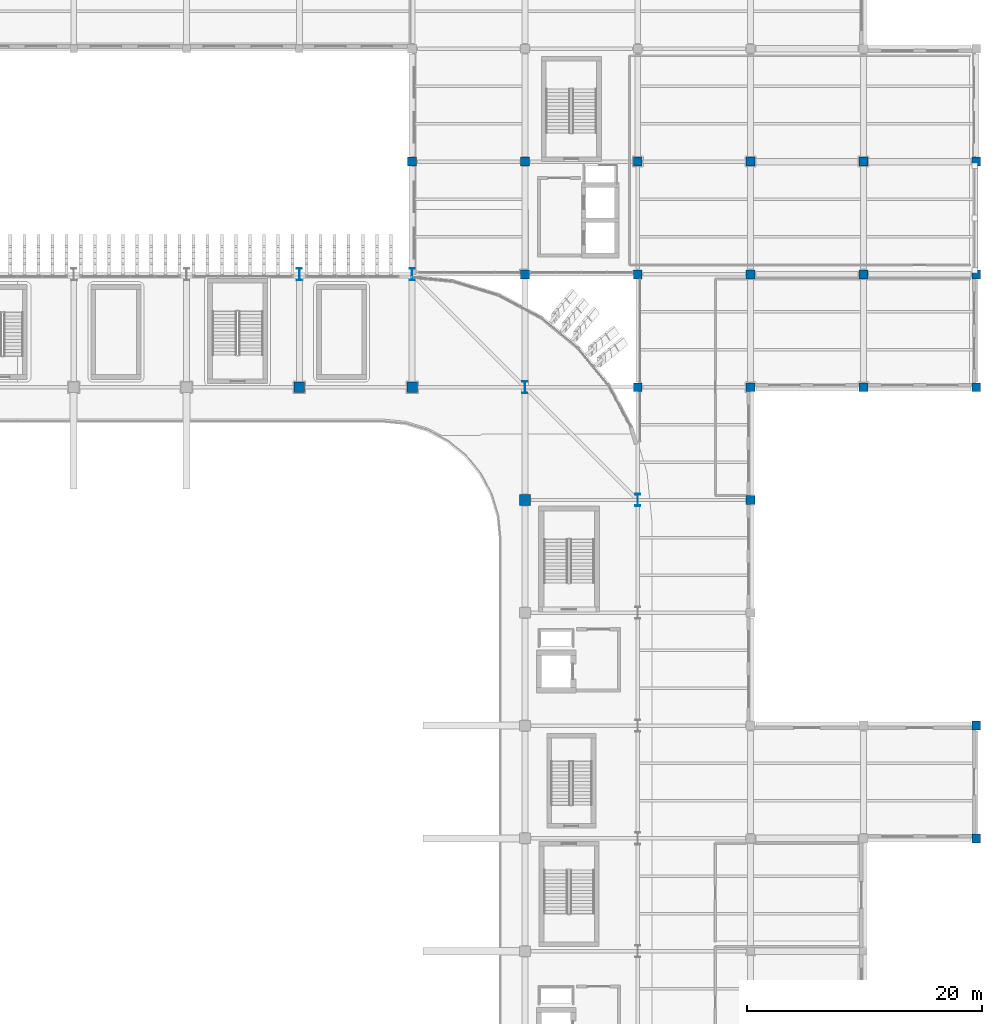
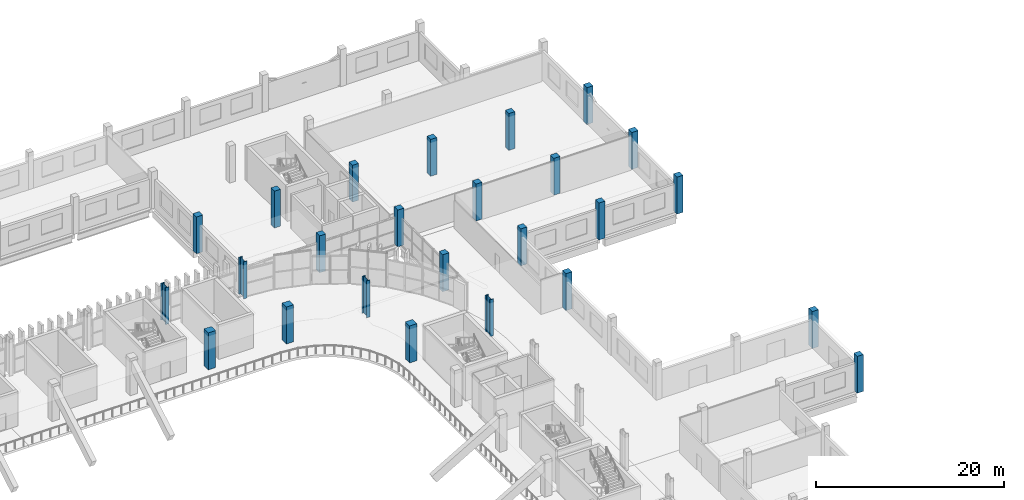
# One storey, part 11 of 100: 25 columns.
"""IFC4 building model written with IfcOpenShell, lengths in metres."""

from ifc_helpers import new_model, si_unit, direction, frame, origin, origin_2d, place, context, subcontext, project, spatial, rectangle, i_section, extrude, material, material_profile, profile_set, type_object, element, save


model = new_model("IFC4")

# Units and contexts
model_context = context("Model", 3, precision=1e-05, world=origin(), true_north=direction((0.0, 1.0)))
body_context = subcontext(model_context, "Body", "Model", "MODEL_VIEW")
ifc_project = project(units=[si_unit("LENGTHUNIT", "METRE"), si_unit("AREAUNIT", "SQUARE_METRE"), si_unit("VOLUMEUNIT", "CUBIC_METRE"), si_unit("PLANEANGLEUNIT", "RADIAN"), si_unit("MASSUNIT", "GRAM", prefix="KILO")], contexts=[model_context])

# Site, building, storey
site_placement = place(None, origin())
site = spatial("IfcSite", under=ifc_project, at=site_placement, CompositionType="ELEMENT")
building_placement = place(site_placement, origin())
building = spatial("IfcBuilding", under=site, at=building_placement, Name="Caelomonte Colonnade Arena", CompositionType="ELEMENT")
storey_placement = place(building_placement, origin())
storey = spatial("IfcBuildingStorey", under=building, at=storey_placement, Name="L00", CompositionType="ELEMENT", Elevation=0.0)

# Columns
ifc_material_1 = material(Name="Concrete C50/60", Category="concrete")
ifc_material_profile_1 = material_profile(ifc_material_1, rectangle(XDim=0.89990234375, YDim=0.89990234375, at=origin_2d()), Name="RC900X900")
ifc_profile_set_1 = profile_set([ifc_material_profile_1], Name="Concrete C50/60")
column_type_1 = type_object("IfcColumnType", Name="STR-COL-RC09", PredefinedType="COLUMN", material=ifc_profile_set_1)
for number, where, z_axis, x_axis, name in (
    (1, (134.39990234375, 105.60009765625, 0.0), (0.0, 0.0, 1.0), (1.0, 0.0, 0.0), "L00 column (134.4, 105.6)"),
    (2, (144.0, 105.60009765625, 0.0), (0.0, 0.0, 1.0), (1.0, 0.0, 0.0), "L00 column (144.0, 105.6)"),
    (3, (153.60009765625, 96.0, 0.0), (0.0, 0.0, 1.0), (1.0, 0.0, 0.0), "L00 column (153.6, 96.0)"),
):
    element("IfcColumn", number, at=place(storey_placement, frame(where, z_axis=z_axis, x_axis=x_axis)), inside=storey, type_object=column_type_1, Name=name, PredefinedType="COLUMN", context=body_context, shape_type="SweptSolid", body=[
        extrude(rectangle(XDim=0.89990234375, YDim=0.89990234375, at=origin_2d()), origin(), (0.0, 0.0, 1.0), 4.800048828125),
    ])
ifc_material_2 = material(Name="Concrete C40/50", Category="concrete")
ifc_material_profile_2 = material_profile(ifc_material_2, rectangle(XDim=0.75, YDim=0.75, at=origin_2d()), Name="RC750X750")
ifc_profile_set_2 = profile_set([ifc_material_profile_2], Name="Concrete C40/50")
column_type_2 = type_object("IfcColumnType", Name="STR-COL-RC75", PredefinedType="COLUMN", material=ifc_profile_set_2)
for number, where, z_axis, x_axis, name in (
    (4, (144.0, 124.800048828125, 0.0), (0.0, 0.0, 1.0), (1.0, 0.0, 0.0), "L00 column (144.0, 124.8)"),
    (5, (153.60009765625, 115.199951171875, 0.0), (0.0, 0.0, 1.0), (1.0, 0.0, 0.0), "L00 column (153.6, 115.2)"),
    (6, (153.60009765625, 124.800048828125, 0.0), (0.0, 0.0, 1.0), (1.0, 0.0, 0.0), "L00 column (153.6, 124.8)"),
    (7, (163.199951171875, 105.60009765625, 0.0), (0.0, 0.0, 1.0), (1.0, 0.0, 0.0), "L00 column (163.2, 105.6)"),
    (8, (163.199951171875, 115.199951171875, 0.0), (0.0, 0.0, 1.0), (1.0, 0.0, 0.0), "L00 column (163.2, 115.2)"),
    (9, (163.199951171875, 124.800048828125, 0.0), (0.0, 0.0, 1.0), (1.0, 0.0, 0.0), "L00 column (163.2, 124.8)"),
    (10, (172.800048828125, 96.0, 0.0), (0.0, 0.0, 1.0), (1.0, 0.0, 0.0), "L00 column (172.8, 96.0)"),
    (11, (172.800048828125, 105.60009765625, 0.0), (0.0, 0.0, 1.0), (1.0, 0.0, 0.0), "L00 column (172.8, 105.6)"),
    (12, (172.800048828125, 115.199951171875, 0.0), (0.0, 0.0, 1.0), (1.0, 0.0, 0.0), "L00 column (172.8, 115.2)"),
    (13, (172.800048828125, 124.800048828125, 0.0), (0.0, 0.0, 1.0), (1.0, 0.0, 0.0), "L00 column (172.8, 124.8)"),
    (14, (182.39990234375, 105.60009765625, 0.0), (0.0, 0.0, 1.0), (1.0, 0.0, 0.0), "L00 column (182.4, 105.6)"),
    (15, (182.39990234375, 115.199951171875, 0.0), (0.0, 0.0, 1.0), (1.0, 0.0, 0.0), "L00 column (182.4, 115.2)"),
    (16, (182.39990234375, 124.800048828125, 0.0), (0.0, 0.0, 1.0), (1.0, 0.0, 0.0), "L00 column (182.4, 124.8)"),
    (17, (192.0, 67.199951171875, 0.0), (0.0, 0.0, 1.0), (1.0, 0.0, 0.0), "L00 column (192.0, 67.2)"),
    (18, (192.0, 76.800048828125, 0.0), (0.0, 0.0, 1.0), (1.0, 0.0, 0.0), "L00 column (192.0, 76.8)"),
    (19, (192.0, 105.60009765625, 0.0), (0.0, 0.0, 1.0), (1.0, 0.0, 0.0), "L00 column (192.0, 105.6)"),
    (20, (192.0, 115.199951171875, 0.0), (0.0, 0.0, 1.0), (1.0, 0.0, 0.0), "L00 column (192.0, 115.2)"),
    (21, (192.0, 124.800048828125, 0.0), (0.0, 0.0, 1.0), (1.0, 0.0, 0.0), "L00 column (192.0, 124.8)"),
):
    element("IfcColumn", number, at=place(storey_placement, frame(where, z_axis=z_axis, x_axis=x_axis)), inside=storey, type_object=column_type_2, Name=name, PredefinedType="COLUMN", context=body_context, shape_type="SweptSolid", body=[
        extrude(rectangle(XDim=0.75, YDim=0.75, at=origin_2d()), origin(), (0.0, 0.0, 1.0), 4.800048828125),
    ])
ifc_material_3 = material(Name="Wide-flange steel ASTM A992 Grade 50", Category="steel")
ifc_material_profile_3 = material_profile(ifc_material_3, i_section(OverallWidth=0.427001953125, OverallDepth=1.04150390625, WebThickness=0.031005859375, FlangeThickness=0.055908203125, FilletRadius=0.030517578125, at=origin_2d()), Name="W40X397")
ifc_profile_set_3 = profile_set([ifc_material_profile_3], Name="Wide-flange steel ASTM A992 Grade 50")
column_type_3 = type_object("IfcColumnType", Name="STR-COL-W40A", PredefinedType="COLUMN", material=ifc_profile_set_3)
for number, where, z_axis, x_axis, name in (
    (22, (134.39990234375, 115.199951171875, 0.0), (0.0, 0.0, 1.0), (1.0, 0.0, 0.0), "L00 column (134.4, 115.2)"),
    (23, (144.0, 115.199951171875, 0.0), (0.0, 0.0, 1.0), (1.0, 0.0, 0.0), "L00 column (144.0, 115.2)"),
    (24, (153.60009765625, 105.60009765625, 0.0), (0.0, 0.0, 1.0), (1.0, 0.0, 0.0), "L00 column (153.6, 105.6)"),
    (25, (163.199951171875, 96.0, 0.0), (0.0, 0.0, 1.0), (1.0, 0.0, 0.0), "L00 column (163.2, 96.0)"),
):
    element("IfcColumn", number, at=place(storey_placement, frame(where, z_axis=z_axis, x_axis=x_axis)), inside=storey, type_object=column_type_3, Name=name, PredefinedType="COLUMN", context=body_context, shape_type="SweptSolid", body=[
        extrude(i_section(OverallWidth=0.427001953125, OverallDepth=1.04150390625, WebThickness=0.031005859375, FlangeThickness=0.055908203125, FilletRadius=0.030517578125, at=origin_2d()), origin(), (0.0, 0.0, 1.0), 4.800048828125),
    ])

save(model, "model.ifc")
